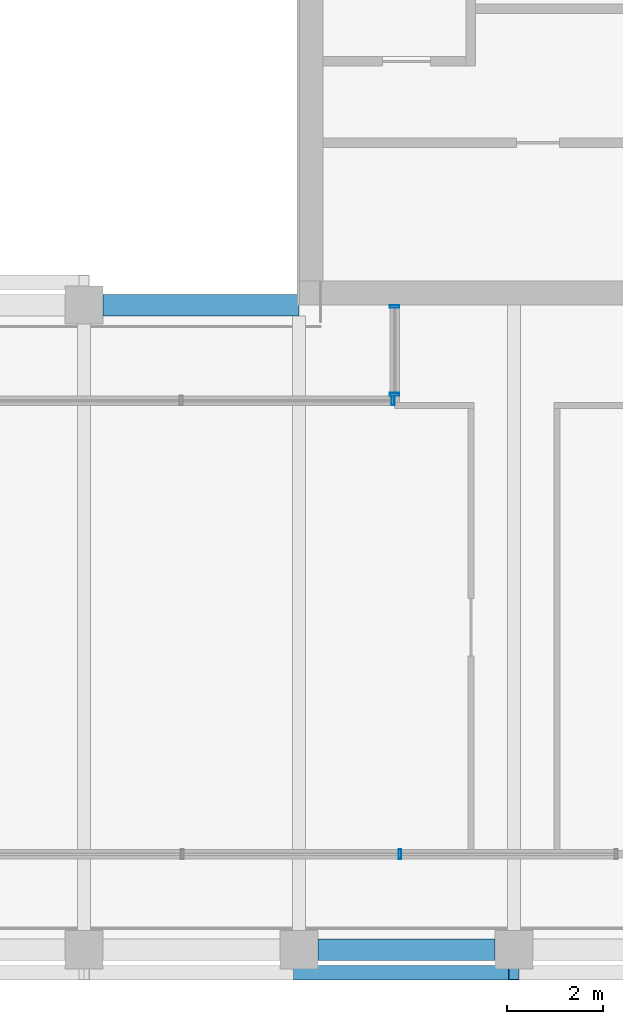
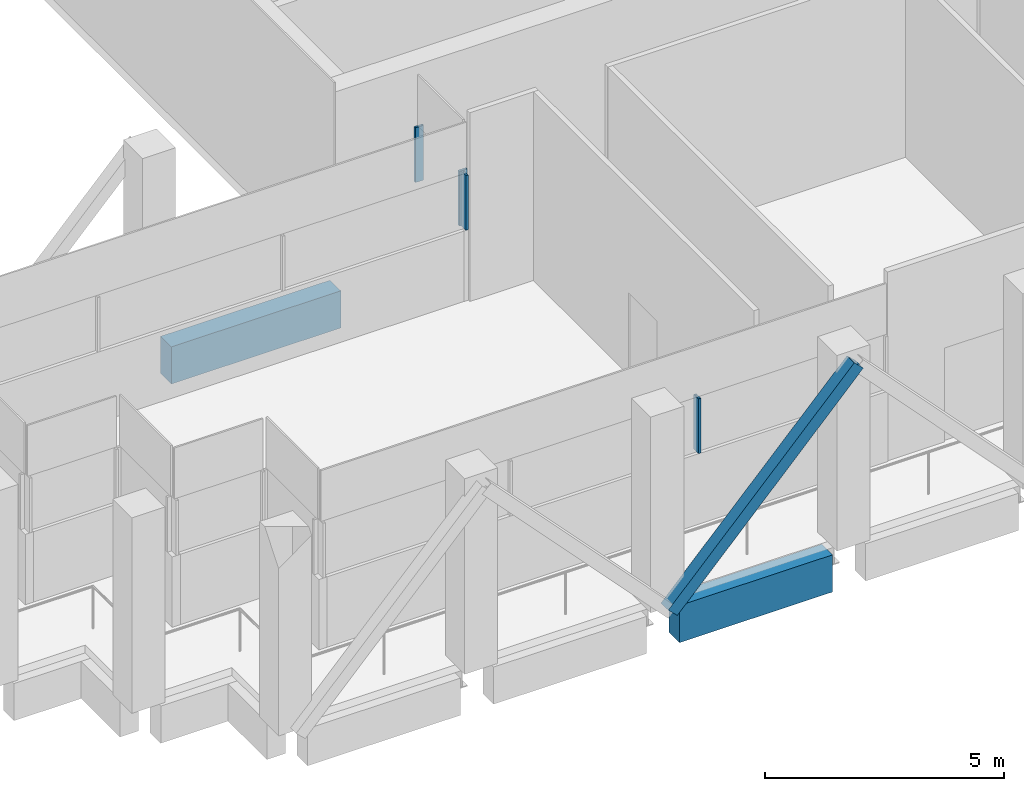
# One storey, part 5 of 21: 5 members, 2 beams, 3 elements without a shape of their own.
"""IFC4 building model written with IfcOpenShell, lengths in metres."""

from ifc_helpers import new_model, si_unit, direction, frame, origin, origin_2d, place, context, subcontext, project, spatial, rectangle, hollow_rectangle, extrude, material, material_profile, profile_set, type_object, element, aggregate, save


model = new_model("IFC4")

# Units and contexts
model_context = context("Model", 3, precision=1e-05, world=origin(), true_north=direction((0.0, 1.0)))
body_context = subcontext(model_context, "Body", "Model", "MODEL_VIEW")
ifc_project = project(units=[si_unit("LENGTHUNIT", "METRE"), si_unit("AREAUNIT", "SQUARE_METRE"), si_unit("VOLUMEUNIT", "CUBIC_METRE"), si_unit("PLANEANGLEUNIT", "RADIAN"), si_unit("MASSUNIT", "GRAM", prefix="KILO")], contexts=[model_context])

# Site, building, storey
site_placement = place(None, origin())
site = spatial("IfcSite", under=ifc_project, at=site_placement, CompositionType="ELEMENT")
building_placement = place(site_placement, origin())
building = spatial("IfcBuilding", under=site, at=building_placement, Name="Altepetl Exchange Towers", CompositionType="ELEMENT")
storey_placement = place(building_placement, frame((0.0, 0.0, 246.0)))
storey = spatial("IfcBuildingStorey", under=building, at=storey_placement, Name="L63 Refuge", CompositionType="ELEMENT", Elevation=246.0)

# Member
ifc_material_1 = material(Name="Steel S355", Category="steel")
ifc_material_profile_1 = material_profile(ifc_material_1, hollow_rectangle(XDim=0.304931640625, YDim=0.304931640625, WallThickness=0.01171875, at=origin_2d()), Name="HSS305X305X12.7")
ifc_profile_set_1 = profile_set([ifc_material_profile_1], Name="Steel S355")
member_type_1 = type_object("IfcMemberType", Name="Belt diagonal HSS305X305X12.7", PredefinedType="BRACE", material=ifc_profile_set_1)
member_1_placement = place(storey_placement, frame((40.5, 26.52001953125, 0.0), z_axis=(0.687744647911, 0.0, 0.725952683906), x_axis=(0.0, 1.0, 0.0)))
element("IfcMember", 1, at=member_1_placement, inside=storey, type_object=member_type_1, Name="brc:A:L63:002", PredefinedType="BRACE", context=body_context, shape_type="SweptSolid", body=[
    extrude(hollow_rectangle(XDim=0.304931640625, YDim=0.304931640625, WallThickness=0.01171875, at=origin_2d()), origin(), (0.0, 0.0, 1.0), 6.543212890625),
])

# Curtain wall, members
ifc_material_2 = material(Name="Aluminium 6063-T6 glazing", Category="aluminium")
curtain_wall_type = type_object("IfcCurtainWallType", Name="Refuge slit glazing system", PredefinedType="NOTDEFINED", material=ifc_material_2)
curtain_wall_1_placement = place(storey_placement, origin())
curtain_wall_1 = element("IfcCurtainWall", 2, at=curtain_wall_1_placement, inside=storey, type_object=curtain_wall_type, Name="CW3 run", PredefinedType="NOTDEFINED")
ifc_material_3 = material(Name="Aluminium 6063-T6", Category="aluminium")
ifc_material_profile_2 = material_profile(ifc_material_3, hollow_rectangle(XDim=0.06005859375, YDim=0.199951171875, WallThickness=0.0029296875, at=origin_2d()), Name="Mullion 60x200 aluminium")
ifc_profile_set_2 = profile_set([ifc_material_profile_2], Name="Aluminium 6063-T6")
member_type_2 = type_object("IfcMemberType", Name="Mullion 60x200 aluminium", PredefinedType="MULLION", material=ifc_profile_set_2)
member_2_placement = place(storey_placement, frame((42.5, 40.469970703125, 1.800048828125), z_axis=(0.0, 0.0, 1.0), x_axis=(0.0, -1.0, 0.0)))
member_2 = element("IfcMember", 3, at=member_2_placement, type_object=member_type_2, Name="MU2 mullion", PredefinedType="MULLION", context=body_context, shape_type="SweptSolid", body=[
    extrude(hollow_rectangle(XDim=0.06005859375, YDim=0.199951171875, WallThickness=0.0029296875, at=origin_2d()), origin(), (0.0, 0.0, 1.0), 1.39990234375),
])
member_3_placement = place(storey_placement, frame((42.5, 38.6298828125, 1.800048828125), z_axis=(0.0, 0.0, 1.0), x_axis=(0.0, -1.0, 0.0)))
member_3 = element("IfcMember", 4, at=member_3_placement, type_object=member_type_2, Name="MU2 mullion", PredefinedType="MULLION", context=body_context, shape_type="SweptSolid", body=[
    extrude(hollow_rectangle(XDim=0.06005859375, YDim=0.199951171875, WallThickness=0.0029296875, at=origin_2d()), origin(), (0.0, 0.0, 1.0), 1.39990234375),
])
aggregate(curtain_wall_1, [member_2, member_3])

# Curtain wall, member
curtain_wall_2_placement = place(storey_placement, origin())
curtain_wall_2 = element("IfcCurtainWall", 5, at=curtain_wall_2_placement, inside=storey, type_object=curtain_wall_type, Name="CW3 run", PredefinedType="NOTDEFINED")
member_4_placement = place(storey_placement, frame((42.469970703125, 38.5, 1.800048828125), z_axis=(0.0, 0.0, 1.0), x_axis=(-1.0, 0.0, 0.0)))
member_4 = element("IfcMember", 6, at=member_4_placement, type_object=member_type_2, Name="MU2 mullion", PredefinedType="MULLION", context=body_context, shape_type="SweptSolid", body=[
    extrude(hollow_rectangle(XDim=0.06005859375, YDim=0.199951171875, WallThickness=0.0029296875, at=origin_2d()), origin(), (0.0, 0.0, 1.0), 1.39990234375),
])
aggregate(curtain_wall_2, [member_4])

curtain_wall_3_placement = place(storey_placement, origin())
curtain_wall_3 = element("IfcCurtainWall", 7, at=curtain_wall_3_placement, inside=storey, type_object=curtain_wall_type, Name="CW3 run", PredefinedType="NOTDEFINED")
member_5_placement = place(storey_placement, frame((42.6142578125, 29.0, 1.800048828125)))
member_5 = element("IfcMember", 8, at=member_5_placement, type_object=member_type_2, Name="MU2 mullion", PredefinedType="MULLION", context=body_context, shape_type="SweptSolid", body=[
    extrude(hollow_rectangle(XDim=0.06005859375, YDim=0.199951171875, WallThickness=0.0029296875, at=origin_2d()), origin(), (0.0, 0.0, 1.0), 1.39990234375),
])
aggregate(curtain_wall_3, [member_5])

# Beams
ifc_material_4 = material(Name="Concrete C50/60 precast with cantera blanca facing", Category="concrete")
ifc_material_profile_3 = material_profile(ifc_material_4, rectangle(XDim=0.449951171875, YDim=0.949951171875, at=origin_2d()), Name="450 x 950")
ifc_profile_set_3 = profile_set([ifc_material_profile_3], Name="Concrete C50/60 precast with cantera blanca facing")
beam_type_1 = type_object("IfcBeamType", Name="Spandrel beam 450x950 cantera blanca", PredefinedType="SPANDREL", material=ifc_profile_set_3)
beam_1_placement = place(storey_placement, frame((40.89990234375, 27.0, -0.675048828125), z_axis=(1.0, 0.0, 0.0), x_axis=(0.0, 1.0, 0.0)))
element("IfcBeam", 9, at=beam_1_placement, inside=storey, type_object=beam_type_1, Name="sp:A:L63:002", PredefinedType="SPANDREL", context=body_context, shape_type="SweptSolid", body=[
    extrude(rectangle(XDim=0.449951171875, YDim=0.949951171875, at=origin_2d()), origin(), (0.0, 0.0, 1.0), 3.7001953125),
])
ifc_material_5 = material(Name="Concrete C50/60 precast with tezontle facing", Category="concrete")
ifc_material_profile_4 = material_profile(ifc_material_5, rectangle(XDim=0.449951171875, YDim=0.949951171875, at=origin_2d()), Name="450 x 950")
ifc_profile_set_4 = profile_set([ifc_material_profile_4], Name="Concrete C50/60 precast with tezontle facing")
beam_type_2 = type_object("IfcBeamType", Name="Spandrel beam 450x950 tezontle", PredefinedType="SPANDREL", material=ifc_profile_set_4)
beam_2_placement = place(storey_placement, frame((40.5, 40.5, -0.675048828125), z_axis=(-1.0, 0.0, 0.0), x_axis=(0.0, -1.0, 0.0)))
element("IfcBeam", 10, at=beam_2_placement, inside=storey, type_object=beam_type_2, Name="sp:A:L63:033", PredefinedType="SPANDREL", context=body_context, shape_type="SweptSolid", body=[
    extrude(rectangle(XDim=0.449951171875, YDim=0.949951171875, at=origin_2d()), origin(), (0.0, 0.0, 1.0), 4.10009765625),
])

save(model, "model.ifc")
